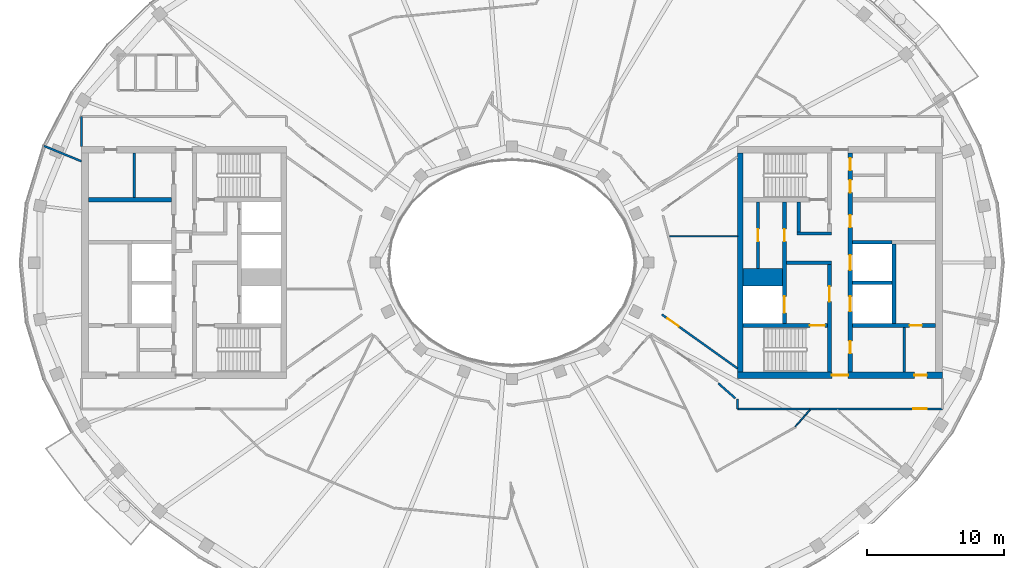
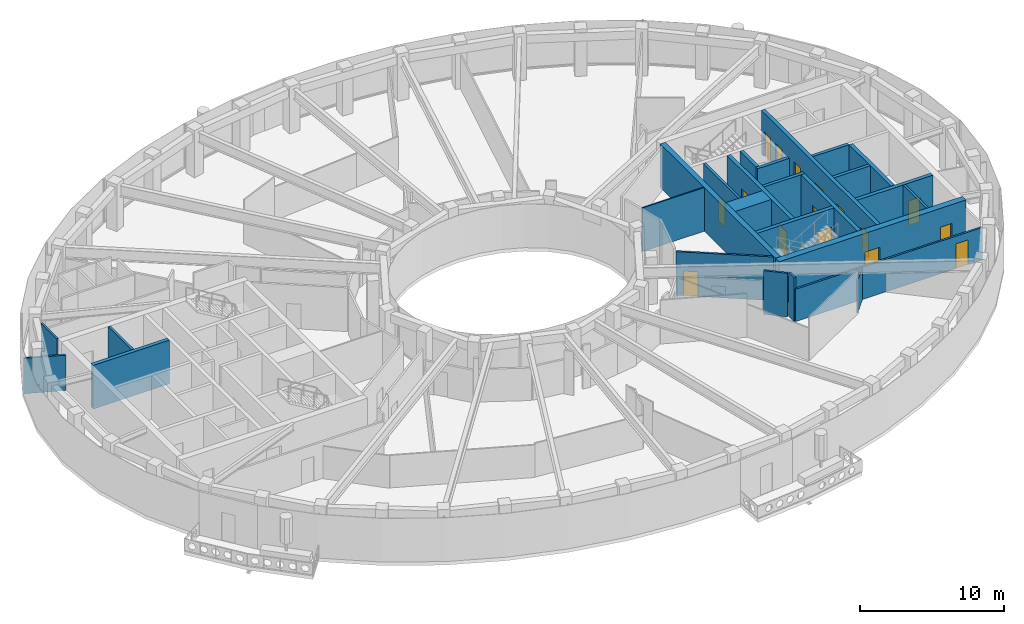
# One storey, part 8 of 20: 26 walls, 16 doors, 16 openings.
"""IFC4 building model written with IfcOpenShell, lengths in metres."""

from ifc_helpers import new_model, si_unit, direction, frame, frame_2d, origin, place, context, subcontext, project, spatial, rectangle, extrude, material, layer, layer_set, type_object, element, fill, save


model = new_model("IFC4")

# Units and contexts
model_context = context("Model", 3, precision=1e-05, world=origin(), true_north=direction((0.0, 1.0)))
body_context = subcontext(model_context, "Body", "Model", "MODEL_VIEW")
ifc_project = project(units=[si_unit("LENGTHUNIT", "METRE"), si_unit("AREAUNIT", "SQUARE_METRE"), si_unit("VOLUMEUNIT", "CUBIC_METRE"), si_unit("PLANEANGLEUNIT", "RADIAN"), si_unit("MASSUNIT", "GRAM", prefix="KILO")], contexts=[model_context])

# Site, building, storey
site_placement = place(None, origin())
site = spatial("IfcSite", under=ifc_project, at=site_placement, CompositionType="ELEMENT")
building_placement = place(site_placement, origin())
building = spatial("IfcBuilding", under=site, at=building_placement, Name="Noorbagh Ring Tower", CompositionType="ELEMENT")
storey_placement = place(building_placement, frame((0.0, 0.0, 323.0)))
storey = spatial("IfcBuildingStorey", under=building, at=storey_placement, Name="L70", CompositionType="ELEMENT", Elevation=323.0)

# Wall
ifc_material_1 = material(Name="Gypsum board on steel studs", Category="steel")
ifc_layer_1 = layer(ifc_material_1, 0.199951171875)
ifc_layer_set_1 = layer_set([ifc_layer_1], Name="Gypsum board on steel studs")
wall_type_1 = type_object("IfcWallType", Name="CORE-PARTITION-200", PredefinedType="PARTITIONING", material=ifc_layer_set_1)
wall_1_placement = place(storey_placement, frame((-27.64990234375, 4.75, 0.0), z_axis=(0.0, 0.0, 1.0), x_axis=(0.0, 1.0, 0.0)))
element("IfcWall", 1, at=wall_1_placement, inside=storey, type_object=wall_type_1, Name="Core partition W", PredefinedType="PARTITIONING", context=body_context, shape_type="SweptSolid", body=[
    extrude(rectangle(XDim=3.25, YDim=0.199951171875, at=frame_2d((1.625, 0.0))), origin(), (0.0, 0.0, 1.0), 3.699951171875),
])

# Wall, opening, door
wall_2_placement = place(storey_placement, frame((18.0, -0.449951171875, 0.0), z_axis=(0.0, 0.0, 1.0), x_axis=(0.0, 1.0, 0.0)))
wall_2 = element("IfcWall", 2, at=wall_2_placement, inside=storey, type_object=wall_type_1, Name="Core partition E", PredefinedType="PARTITIONING", context=body_context, shape_type="SweptSolid", body=[
    extrude(rectangle(XDim=4.89990234375, YDim=0.199951171875, at=frame_2d((2.449951171875, 0.0))), origin(), (0.0, 0.0, 1.0), 3.699951171875),
])
opening_1_placement = place(wall_2_placement, frame((2.0, 0.0, 0.0)))
opening_1 = element("IfcOpeningElement", 3, at=opening_1_placement, cuts=wall_2, Name="Opening L70-CE11", PredefinedType="OPENING", context=body_context, shape_type="SweptSolid", body=[
    extrude(rectangle(XDim=0.89990234375, YDim=2.10009765625, at=frame_2d((0.449951171875, 1.050048828125))), frame((0.0, 0.10986328125, 0.0), z_axis=(0.0, -1.0, 0.0), x_axis=(1.0, 0.0, 0.0)), (0.0, 0.0, 1.0), 0.219970703125),
])
ifc_material_2 = material(Name="Steel door leaf", Category="steel")
door_type_1 = type_object("IfcDoorType", Name="CORE-DOOR-DROOM", OperationType="SINGLE_SWING_LEFT", PredefinedType="DOOR", material=ifc_material_2)
door_1_placement = place(opening_1_placement, origin())
door_1 = element("IfcDoor", 4, at=door_1_placement, inside=storey, type_object=door_type_1, Name="Core room door L70-CE11", OperationType="SINGLE_SWING_RIGHT", OverallHeight=2.10009765625, OverallWidth=0.89990234375, PredefinedType="DOOR", context=body_context, shape_type="SweptSolid", body=[
    extrude(rectangle(XDim=0.89990234375, YDim=2.10009765625, at=frame_2d((0.449951171875, 1.050048828125))), frame((0.0, 0.02490234375, 0.0), z_axis=(0.0, -1.0, 0.0), x_axis=(1.0, 0.0, 0.0)), (0.0, 0.0, 1.0), 0.050048828125),
])
fill(opening_1, door_1)

# Walls
wall_3_placement = place(storey_placement, frame((28.699951171875, -8.0, 0.0), z_axis=(0.0, 0.0, 1.0), x_axis=(0.0, 1.0, 0.0)))
element("IfcWall", 5, at=wall_3_placement, inside=storey, type_object=wall_type_1, Name="Core partition E", PredefinedType="PARTITIONING", context=body_context, shape_type="SweptSolid", body=[
    extrude(rectangle(XDim=3.25, YDim=0.199951171875, at=frame_2d((1.625, 0.0))), origin(), (0.0, 0.0, 1.0), 3.699951171875),
])
ifc_material_3 = material(Name="Concrete C50/60", Category="concrete")
ifc_layer_2 = layer(ifc_material_3, 1.25)
ifc_layer_set_2 = layer_set([ifc_layer_2], Name="Concrete C50/60")
wall_type_2 = type_object("IfcWallType", Name="CORE-WALL-1250-C50-60-EI120", PredefinedType="SHEAR", material=ifc_layer_set_2)
wall_4_placement = place(storey_placement, frame((16.89990234375, -1.074951171875, 0.0), z_axis=(0.0, 0.0, 1.0), x_axis=(1.0, 0.0, 0.0)))
element("IfcWall", 6, at=wall_4_placement, inside=storey, type_object=wall_type_2, Name="Core wall E", PredefinedType="SHEAR", context=body_context, shape_type="SweptSolid", body=[
    extrude(rectangle(XDim=2.900146484375, YDim=1.25, at=frame_2d((1.4501953125, 0.0))), origin(), (0.0, 0.0, 1.0), 3.699951171875),
])
ifc_material_4 = material(Name="Concrete C50/60", Category="concrete")
ifc_layer_3 = layer(ifc_material_4, 0.25)
ifc_layer_set_3 = layer_set([ifc_layer_3], Name="Concrete C50/60")
wall_type_3 = type_object("IfcWallType", Name="CORE-WALL-250-C50-60-EI120", PredefinedType="SHEAR", material=ifc_layer_set_3)
for number, where, z_axis, x_axis, name in (
    (7, (24.89990234375, -1.47509765625, 0.0), (0.0, 0.0, 1.0), (1.0, 0.0, 0.0), "Core wall E"),
    (8, (24.89990234375, 1.47509765625, 0.0), (0.0, 0.0, 1.0), (1.0, 0.0, 0.0), "Core wall E"),
):
    element("IfcWall", number, at=place(storey_placement, frame(where, z_axis=z_axis, x_axis=x_axis)), inside=storey, type_object=wall_type_3, Name=name, PredefinedType="SHEAR", context=body_context, shape_type="SweptSolid", body=[
        extrude(rectangle(XDim=2.900146484375, YDim=0.25, at=frame_2d((1.4501953125, 0.0))), origin(), (0.0, 0.0, 1.0), 3.699951171875),
    ])
ifc_material_5 = material(Name="Concrete C50/60", Category="concrete")
ifc_layer_4 = layer(ifc_material_5, 0.25)
ifc_layer_set_4 = layer_set([ifc_layer_4], Name="Concrete C50/60")
wall_type_4 = type_object("IfcWallType", Name="CORE-WALL-250-C50-60-EI240", PredefinedType="SHEAR", material=ifc_layer_set_4)
wall_5_placement = place(storey_placement, frame((20.10009765625, 0.0, 0.0), z_axis=(0.0, 0.0, 1.0), x_axis=(1.0, 0.0, 0.0)))
element("IfcWall", 9, at=wall_5_placement, inside=storey, type_object=wall_type_4, Name="Core wall E", PredefinedType="SHEAR", context=body_context, shape_type="SweptSolid", body=[
    extrude(rectangle(XDim=3.27978515625, YDim=0.25, at=frame_2d((1.639892578125, 0.0))), origin(), (0.0, 0.0, 1.0), 3.699951171875),
])
wall_6_placement = place(storey_placement, frame((20.85009765625, 2.125, 0.0), z_axis=(0.0, 0.0, 1.0), x_axis=(1.0, 0.0, 0.0)))
element("IfcWall", 10, at=wall_6_placement, inside=storey, type_object=wall_type_4, Name="Core wall E", PredefinedType="SHEAR", context=body_context, shape_type="SweptSolid", body=[
    extrude(rectangle(XDim=2.52978515625, YDim=0.25, at=frame_2d((1.264892578125, 0.0))), origin(), (0.0, 0.0, 1.0), 3.699951171875),
])
wall_7_placement = place(storey_placement, frame((20.97509765625, 2.25, 0.0), z_axis=(0.0, 0.0, 1.0), x_axis=(0.0, 1.0, 0.0)))
element("IfcWall", 11, at=wall_7_placement, inside=storey, type_object=wall_type_4, Name="Core wall E", PredefinedType="SHEAR", context=body_context, shape_type="SweptSolid", body=[
    extrude(rectangle(XDim=2.199951171875, YDim=0.25, at=frame_2d((1.10009765625, 0.0))), origin(), (0.0, 0.0, 1.0), 3.699951171875),
])
ifc_material_6 = material(Name="Concrete C50/60", Category="concrete")
ifc_layer_5 = layer(ifc_material_6, 0.300048828125)
ifc_layer_set_5 = layer_set([ifc_layer_5], Name="Concrete C50/60")
wall_type_5 = type_object("IfcWallType", Name="CORE-WALL-300-C50-60-EI120", PredefinedType="SHEAR", material=ifc_layer_set_5)
wall_8_placement = place(storey_placement, frame((27.949951171875, -4.449951171875, 0.0), z_axis=(0.0, 0.0, 1.0), x_axis=(0.0, 1.0, 0.0)))
element("IfcWall", 12, at=wall_8_placement, inside=storey, type_object=wall_type_5, Name="Core wall E", PredefinedType="SHEAR", context=body_context, shape_type="SweptSolid", body=[
    extrude(rectangle(XDim=5.800048828125, YDim=0.300048828125, at=frame_2d((2.89990234375, 0.0))), origin(), (0.0, 0.0, 1.0), 3.699951171875),
])

# Wall, openings, doors
wall_9_placement = place(storey_placement, frame((19.949951171875, -4.449951171875, 0.0), z_axis=(0.0, 0.0, 1.0), x_axis=(0.0, 1.0, 0.0)))
wall_9 = element("IfcWall", 13, at=wall_9_placement, inside=storey, type_object=wall_type_5, Name="Core wall E", PredefinedType="SHEAR", context=body_context, shape_type="SweptSolid", body=[
    extrude(rectangle(XDim=8.89990234375, YDim=0.300048828125, at=frame_2d((4.449951171875, 0.0))), origin(), (0.0, 0.0, 1.0), 3.699951171875),
])
opening_2_placement = place(wall_9_placement, frame((0.77490234375, 0.0, 0.0)))
opening_2 = element("IfcOpeningElement", 14, at=opening_2_placement, cuts=wall_9, Name="Opening L70-CE01", PredefinedType="OPENING", context=body_context, shape_type="SweptSolid", body=[
    extrude(rectangle(XDim=1.199951171875, YDim=2.10009765625, at=frame_2d((0.60009765625, 1.050048828125))), frame((0.0, 0.16015625, 0.0), z_axis=(0.0, -1.0, 0.0), x_axis=(1.0, 0.0, 0.0)), (0.0, 0.0, 1.0), 0.320068359375),
])
opening_3_placement = place(wall_9_placement, frame((6.0, 0.0, 0.0)))
opening_3 = element("IfcOpeningElement", 15, at=opening_3_placement, cuts=wall_9, Name="Opening L70-CE10", PredefinedType="OPENING", context=body_context, shape_type="SweptSolid", body=[
    extrude(rectangle(XDim=0.89990234375, YDim=2.10009765625, at=frame_2d((0.449951171875, 1.050048828125))), frame((0.0, 0.16015625, 0.0), z_axis=(0.0, -1.0, 0.0), x_axis=(1.0, 0.0, 0.0)), (0.0, 0.0, 1.0), 0.320068359375),
])
door_2_placement = place(opening_3_placement, origin())
door_2 = element("IfcDoor", 16, at=door_2_placement, inside=storey, type_object=door_type_1, Name="Core room door L70-CE10", OperationType="SINGLE_SWING_RIGHT", OverallHeight=2.10009765625, OverallWidth=0.89990234375, PredefinedType="DOOR", context=body_context, shape_type="SweptSolid", body=[
    extrude(rectangle(XDim=0.89990234375, YDim=2.10009765625, at=frame_2d((0.449951171875, 1.050048828125))), frame((0.0, 0.02490234375, 0.0), z_axis=(0.0, -1.0, 0.0), x_axis=(1.0, 0.0, 0.0)), (0.0, 0.0, 1.0), 0.050048828125),
])
fill(opening_3, door_2)
ifc_material_7 = material(Name="Steel door leaf", Category="steel")
door_type_2 = type_object("IfcDoorType", Name="CORE-DOOR-LDW", OperationType="DOUBLE_DOOR_SLIDING", PredefinedType="DOOR", material=ifc_material_7)
door_3_placement = place(opening_2_placement, origin())
door_3 = element("IfcDoor", 17, at=door_3_placement, inside=storey, type_object=door_type_2, Name="Landing door FF2 L70-CE01", OperationType="DOUBLE_DOOR_SLIDING", OverallHeight=2.10009765625, OverallWidth=1.199951171875, PredefinedType="DOOR", context=body_context, shape_type="SweptSolid", body=[
    extrude(rectangle(XDim=1.199951171875, YDim=2.10009765625, at=frame_2d((0.60009765625, 1.050048828125))), frame((0.0, 0.02490234375, 0.0), z_axis=(0.0, -1.0, 0.0), x_axis=(1.0, 0.0, 0.0)), (0.0, 0.0, 1.0), 0.050048828125),
])
fill(opening_2, door_3)

wall_10_placement = place(storey_placement, frame((24.75, -8.0, 0.0), z_axis=(0.0, 0.0, 1.0), x_axis=(0.0, 1.0, 0.0)))
wall_10 = element("IfcWall", 18, at=wall_10_placement, inside=storey, type_object=wall_type_5, Name="Core wall E", PredefinedType="SHEAR", context=body_context, shape_type="SweptSolid", body=[
    extrude(rectangle(XDim=16.0, YDim=0.300048828125, at=frame_2d((8.0, 0.0))), origin(), (0.0, 0.0, 1.0), 3.699951171875),
])
opening_4_placement = place(wall_10_placement, frame((4.425048828125, 0.0, 0.0)))
opening_4 = element("IfcOpeningElement", 19, at=opening_4_placement, cuts=wall_10, Name="Opening L70-CE02", PredefinedType="OPENING", context=body_context, shape_type="SweptSolid", body=[
    extrude(rectangle(XDim=1.10009765625, YDim=2.10009765625, at=frame_2d((0.550048828125, 1.050048828125))), frame((0.0, 0.16015625, 0.0), z_axis=(0.0, -1.0, 0.0), x_axis=(1.0, 0.0, 0.0)), (0.0, 0.0, 1.0), 0.320068359375),
])
opening_5_placement = place(wall_10_placement, frame((7.449951171875, 0.0, 0.0)))
opening_5 = element("IfcOpeningElement", 20, at=opening_5_placement, cuts=wall_10, Name="Opening L70-CE03", PredefinedType="OPENING", context=body_context, shape_type="SweptSolid", body=[
    extrude(rectangle(XDim=1.10009765625, YDim=2.10009765625, at=frame_2d((0.550048828125, 1.050048828125))), frame((0.0, 0.16015625, 0.0), z_axis=(0.0, -1.0, 0.0), x_axis=(1.0, 0.0, 0.0)), (0.0, 0.0, 1.0), 0.320068359375),
])
opening_6_placement = place(wall_10_placement, frame((10.574951171875, 0.0, 0.0)))
opening_6 = element("IfcOpeningElement", 21, at=opening_6_placement, cuts=wall_10, Name="Opening L70-CE12", PredefinedType="OPENING", context=body_context, shape_type="SweptSolid", body=[
    extrude(rectangle(XDim=0.89990234375, YDim=2.10009765625, at=frame_2d((0.449951171875, 1.050048828125))), frame((0.0, 0.16015625, 0.0), z_axis=(0.0, -1.0, 0.0), x_axis=(1.0, 0.0, 0.0)), (0.0, 0.0, 1.0), 0.320068359375),
])
opening_7_placement = place(wall_10_placement, frame((13.125, 0.0, 0.0)))
opening_7 = element("IfcOpeningElement", 22, at=opening_7_placement, cuts=wall_10, Name="Opening L70-CE13", PredefinedType="OPENING", context=body_context, shape_type="SweptSolid", body=[
    extrude(rectangle(XDim=0.89990234375, YDim=2.10009765625, at=frame_2d((0.449951171875, 1.050048828125))), frame((0.0, 0.16015625, 0.0), z_axis=(0.0, -1.0, 0.0), x_axis=(1.0, 0.0, 0.0)), (0.0, 0.0, 1.0), 0.320068359375),
])
opening_8_placement = place(wall_10_placement, frame((14.75, 0.0, 0.0)))
opening_8 = element("IfcOpeningElement", 23, at=opening_8_placement, cuts=wall_10, Name="Opening L70-CE14", PredefinedType="OPENING", context=body_context, shape_type="SweptSolid", body=[
    extrude(rectangle(XDim=0.89990234375, YDim=2.10009765625, at=frame_2d((0.449951171875, 1.050048828125))), frame((0.0, 0.16015625, 0.0), z_axis=(0.0, -1.0, 0.0), x_axis=(1.0, 0.0, 0.0)), (0.0, 0.0, 1.0), 0.320068359375),
])
opening_9_placement = place(wall_10_placement, frame((1.35009765625, 0.0, 0.0)))
opening_9 = element("IfcOpeningElement", 24, at=opening_9_placement, cuts=wall_10, Name="Opening L70-CE16", PredefinedType="OPENING", context=body_context, shape_type="SweptSolid", body=[
    extrude(rectangle(XDim=0.89990234375, YDim=2.10009765625, at=frame_2d((0.449951171875, 1.050048828125))), frame((0.0, 0.16015625, 0.0), z_axis=(0.0, -1.0, 0.0), x_axis=(1.0, 0.0, 0.0)), (0.0, 0.0, 1.0), 0.320068359375),
])
door_4_placement = place(opening_6_placement, origin())
door_4 = element("IfcDoor", 25, at=door_4_placement, inside=storey, type_object=door_type_1, Name="Core room door L70-CE12", OperationType="SINGLE_SWING_LEFT", OverallHeight=2.10009765625, OverallWidth=0.89990234375, PredefinedType="DOOR", context=body_context, shape_type="SweptSolid", body=[
    extrude(rectangle(XDim=0.89990234375, YDim=2.10009765625, at=frame_2d((0.449951171875, 1.050048828125))), frame((0.0, 0.02490234375, 0.0), z_axis=(0.0, -1.0, 0.0), x_axis=(1.0, 0.0, 0.0)), (0.0, 0.0, 1.0), 0.050048828125),
])
fill(opening_6, door_4)
door_5_placement = place(opening_7_placement, origin())
door_5 = element("IfcDoor", 26, at=door_5_placement, inside=storey, type_object=door_type_1, Name="Core room door L70-CE13", OperationType="SINGLE_SWING_RIGHT", OverallHeight=2.10009765625, OverallWidth=0.89990234375, PredefinedType="DOOR", context=body_context, shape_type="SweptSolid", body=[
    extrude(rectangle(XDim=0.89990234375, YDim=2.10009765625, at=frame_2d((0.449951171875, 1.050048828125))), frame((0.0, 0.02490234375, 0.0), z_axis=(0.0, -1.0, 0.0), x_axis=(1.0, 0.0, 0.0)), (0.0, 0.0, 1.0), 0.050048828125),
])
fill(opening_7, door_5)
door_6_placement = place(opening_8_placement, origin())
door_6 = element("IfcDoor", 27, at=door_6_placement, inside=storey, type_object=door_type_1, Name="Core room door L70-CE14", OperationType="SINGLE_SWING_LEFT", OverallHeight=2.10009765625, OverallWidth=0.89990234375, PredefinedType="DOOR", context=body_context, shape_type="SweptSolid", body=[
    extrude(rectangle(XDim=0.89990234375, YDim=2.10009765625, at=frame_2d((0.449951171875, 1.050048828125))), frame((0.0, 0.02490234375, 0.0), z_axis=(0.0, -1.0, 0.0), x_axis=(1.0, 0.0, 0.0)), (0.0, 0.0, 1.0), 0.050048828125),
])
fill(opening_8, door_6)
door_7_placement = place(opening_9_placement, origin())
door_7 = element("IfcDoor", 28, at=door_7_placement, inside=storey, type_object=door_type_1, Name="Core room door L70-CE16", OperationType="SINGLE_SWING_RIGHT", OverallHeight=2.10009765625, OverallWidth=0.89990234375, PredefinedType="DOOR", context=body_context, shape_type="SweptSolid", body=[
    extrude(rectangle(XDim=0.89990234375, YDim=2.10009765625, at=frame_2d((0.449951171875, 1.050048828125))), frame((0.0, 0.02490234375, 0.0), z_axis=(0.0, -1.0, 0.0), x_axis=(1.0, 0.0, 0.0)), (0.0, 0.0, 1.0), 0.050048828125),
])
fill(opening_9, door_7)
ifc_material_8 = material(Name="Steel door leaf", Category="steel")
door_type_3 = type_object("IfcDoorType", Name="CORE-DOOR-LD", OperationType="DOUBLE_DOOR_SLIDING", PredefinedType="DOOR", material=ifc_material_8)
door_8_placement = place(opening_4_placement, origin())
door_8 = element("IfcDoor", 29, at=door_8_placement, inside=storey, type_object=door_type_3, Name="Landing door HR12 L70-CE02", OperationType="DOUBLE_DOOR_SLIDING", OverallHeight=2.10009765625, OverallWidth=1.10009765625, PredefinedType="DOOR", context=body_context, shape_type="SweptSolid", body=[
    extrude(rectangle(XDim=1.10009765625, YDim=2.10009765625, at=frame_2d((0.550048828125, 1.050048828125))), frame((0.0, 0.02490234375, 0.0), z_axis=(0.0, -1.0, 0.0), x_axis=(1.0, 0.0, 0.0)), (0.0, 0.0, 1.0), 0.050048828125),
])
fill(opening_4, door_8)
door_9_placement = place(opening_5_placement, origin())
door_9 = element("IfcDoor", 30, at=door_9_placement, inside=storey, type_object=door_type_3, Name="Landing door HR13 L70-CE03", OperationType="DOUBLE_DOOR_SLIDING", OverallHeight=2.10009765625, OverallWidth=1.10009765625, PredefinedType="DOOR", context=body_context, shape_type="SweptSolid", body=[
    extrude(rectangle(XDim=1.10009765625, YDim=2.10009765625, at=frame_2d((0.550048828125, 1.050048828125))), frame((0.0, 0.02490234375, 0.0), z_axis=(0.0, -1.0, 0.0), x_axis=(1.0, 0.0, 0.0)), (0.0, 0.0, 1.0), 0.050048828125),
])
fill(opening_5, door_9)

# Wall
ifc_material_9 = material(Name="Concrete C50/60", Category="concrete")
ifc_layer_6 = layer(ifc_material_9, 0.300048828125)
ifc_layer_set_6 = layer_set([ifc_layer_6], Name="Concrete C50/60")
wall_type_6 = type_object("IfcWallType", Name="CORE-WALL-300-C50-60-EI240", PredefinedType="SHEAR", material=ifc_layer_set_6)
wall_11_placement = place(storey_placement, frame((-24.89990234375, 4.60009765625, 0.0), z_axis=(0.0, 0.0, 1.0), x_axis=(-1.0, 0.0, 0.0)))
element("IfcWall", 31, at=wall_11_placement, inside=storey, type_object=wall_type_6, Name="Core wall W", PredefinedType="SHEAR", context=body_context, shape_type="SweptSolid", body=[
    extrude(rectangle(XDim=6.10009765625, YDim=0.300048828125, at=frame_2d((3.050048828125, 0.0))), origin(), (0.0, 0.0, 1.0), 3.699951171875),
])

# Wall, opening, door
wall_12_placement = place(storey_placement, frame((24.89990234375, -4.60009765625, 0.0), z_axis=(0.0, 0.0, 1.0), x_axis=(1.0, 0.0, 0.0)))
wall_12 = element("IfcWall", 32, at=wall_12_placement, inside=storey, type_object=wall_type_6, Name="Core wall E", PredefinedType="SHEAR", context=body_context, shape_type="SweptSolid", body=[
    extrude(rectangle(XDim=6.10009765625, YDim=0.300048828125, at=frame_2d((3.050048828125, 0.0))), origin(), (0.0, 0.0, 1.0), 3.699951171875),
])
opening_10_placement = place(wall_12_placement, frame((4.199951171875, 0.0, 0.0)))
opening_10 = element("IfcOpeningElement", 33, at=opening_10_placement, cuts=wall_12, Name="Opening L70-CE18", PredefinedType="OPENING", context=body_context, shape_type="SweptSolid", body=[
    extrude(rectangle(XDim=0.89990234375, YDim=2.10009765625, at=frame_2d((0.449951171875, 1.050048828125))), frame((0.0, 0.16015625, 0.0), z_axis=(0.0, -1.0, 0.0), x_axis=(1.0, 0.0, 0.0)), (0.0, 0.0, 1.0), 0.320068359375),
])
door_10_placement = place(opening_10_placement, origin())
door_10 = element("IfcDoor", 34, at=door_10_placement, inside=storey, type_object=door_type_1, Name="Core room door L70-CE18", OperationType="SINGLE_SWING_LEFT", OverallHeight=2.10009765625, OverallWidth=0.89990234375, PredefinedType="DOOR", context=body_context, shape_type="SweptSolid", body=[
    extrude(rectangle(XDim=0.89990234375, YDim=2.10009765625, at=frame_2d((0.449951171875, 1.050048828125))), frame((0.0, 0.02490234375, 0.0), z_axis=(0.0, -1.0, 0.0), x_axis=(1.0, 0.0, 0.0)), (0.0, 0.0, 1.0), 0.050048828125),
])
fill(opening_10, door_10)

wall_13_placement = place(storey_placement, frame((23.22998046875, -8.0, 0.0), z_axis=(0.0, 0.0, 1.0), x_axis=(0.0, 1.0, 0.0)))
wall_13 = element("IfcWall", 35, at=wall_13_placement, inside=storey, type_object=wall_type_6, Name="Core wall E", PredefinedType="SHEAR", context=body_context, shape_type="SweptSolid", body=[
    extrude(rectangle(XDim=7.875, YDim=0.300048828125, at=frame_2d((3.9375, 0.0))), origin(), (0.0, 0.0, 1.0), 3.699951171875),
])
opening_11_placement = place(wall_13_placement, frame((5.14990234375, 0.0, 0.0)))
opening_11 = element("IfcOpeningElement", 36, at=opening_11_placement, cuts=wall_13, Name="Opening L70-CE06", PredefinedType="OPENING", context=body_context, shape_type="SweptSolid", body=[
    extrude(rectangle(XDim=1.10009765625, YDim=2.10009765625, at=frame_2d((0.550048828125, 1.050048828125))), frame((0.0, 0.16015625, 0.0), z_axis=(0.0, -1.0, 0.0), x_axis=(1.0, 0.0, 0.0)), (0.0, 0.0, 1.0), 0.320068359375),
])
ifc_material_10 = material(Name="Steel door leaf", Category="steel")
door_type_4 = type_object("IfcDoorType", Name="CORE-DOOR-DFF", OperationType="SINGLE_SWING_LEFT", PredefinedType="DOOR", material=ifc_material_10)
door_11_placement = place(opening_11_placement, origin())
door_11 = element("IfcDoor", 37, at=door_11_placement, inside=storey, type_object=door_type_4, Name="Firefighting lobby door L70-CE06", OperationType="SINGLE_SWING_RIGHT", OverallHeight=2.10009765625, OverallWidth=1.10009765625, PredefinedType="DOOR", context=body_context, shape_type="SweptSolid", body=[
    extrude(rectangle(XDim=1.10009765625, YDim=2.10009765625, at=frame_2d((0.550048828125, 1.050048828125))), frame((0.0, 0.02490234375, 0.0), z_axis=(0.0, -1.0, 0.0), x_axis=(1.0, 0.0, 0.0)), (0.0, 0.0, 1.0), 0.050048828125),
])
fill(opening_11, door_11)

wall_14_placement = place(storey_placement, frame((16.89990234375, -4.60009765625, 0.0), z_axis=(0.0, 0.0, 1.0), x_axis=(1.0, 0.0, 0.0)))
wall_14 = element("IfcWall", 38, at=wall_14_placement, inside=storey, type_object=wall_type_6, Name="Core wall E", PredefinedType="SHEAR", context=body_context, shape_type="SweptSolid", body=[
    extrude(rectangle(XDim=6.18017578125, YDim=0.300048828125, at=frame_2d((3.090087890625, 0.0))), origin(), (0.0, 0.0, 1.0), 3.699951171875),
])
opening_12_placement = place(wall_14_placement, frame((4.89990234375, 0.0, 0.0)))
opening_12 = element("IfcOpeningElement", 39, at=opening_12_placement, cuts=wall_14, Name="Opening L70-CE05", PredefinedType="OPENING", context=body_context, shape_type="SweptSolid", body=[
    extrude(rectangle(XDim=1.10009765625, YDim=2.10009765625, at=frame_2d((0.550048828125, 1.050048828125))), frame((0.0, 0.16015625, 0.0), z_axis=(0.0, -1.0, 0.0), x_axis=(1.0, 0.0, 0.0)), (0.0, 0.0, 1.0), 0.320068359375),
])
ifc_material_11 = material(Name="Steel door leaf", Category="steel")
door_type_5 = type_object("IfcDoorType", Name="CORE-DOOR-DSTAIR", OperationType="SINGLE_SWING_LEFT", PredefinedType="DOOR", material=ifc_material_11)
door_12_placement = place(opening_12_placement, origin())
door_12 = element("IfcDoor", 40, at=door_12_placement, inside=storey, type_object=door_type_5, Name="Stair door ST4 L70-CE05", OperationType="SINGLE_SWING_RIGHT", OverallHeight=2.10009765625, OverallWidth=1.10009765625, PredefinedType="DOOR", context=body_context, shape_type="SweptSolid", body=[
    extrude(rectangle(XDim=1.10009765625, YDim=2.10009765625, at=frame_2d((0.550048828125, 1.050048828125))), frame((0.0, 0.02490234375, 0.0), z_axis=(0.0, -1.0, 0.0), x_axis=(1.0, 0.0, 0.0)), (0.0, 0.0, 1.0), 0.050048828125),
])
fill(opening_12, door_12)

# Wall
ifc_material_12 = material(Name="Concrete C50/60", Category="concrete")
ifc_layer_7 = layer(ifc_material_12, 0.39990234375)
ifc_layer_set_7 = layer_set([ifc_layer_7], Name="Concrete C50/60")
wall_type_7 = type_object("IfcWallType", Name="CORE-WALL-400-C50-60-EI240", PredefinedType="SHEAR", material=ifc_layer_set_7)
wall_15_placement = place(storey_placement, frame((16.699951171875, -8.0, 0.0), z_axis=(0.0, 0.0, 1.0), x_axis=(0.0, 1.0, 0.0)))
element("IfcWall", 41, at=wall_15_placement, inside=storey, type_object=wall_type_7, Name="Core wall E", PredefinedType="SHEAR", context=body_context, shape_type="SweptSolid", body=[
    extrude(rectangle(XDim=16.0, YDim=0.39990234375, at=frame_2d((8.0, 0.0))), origin(), (0.0, 0.0, 1.0), 3.699951171875),
])

# Wall, openings, doors
ifc_material_13 = material(Name="Concrete C50/60", Category="concrete")
ifc_layer_8 = layer(ifc_material_13, 0.5)
ifc_layer_set_8 = layer_set([ifc_layer_8], Name="Concrete C50/60")
wall_type_8 = type_object("IfcWallType", Name="CORE-WALL-500-C50-60-EI240", PredefinedType="SHEAR", material=ifc_layer_set_8)
wall_16_placement = place(storey_placement, frame((16.5, -8.25, 0.0), z_axis=(0.0, 0.0, 1.0), x_axis=(1.0, 0.0, 0.0)))
wall_16 = element("IfcWall", 42, at=wall_16_placement, inside=storey, type_object=wall_type_8, Name="Core wall E", PredefinedType="SHEAR", context=body_context, shape_type="SweptSolid", body=[
    extrude(rectangle(XDim=15.0, YDim=0.5, at=frame_2d((7.5, 0.0))), origin(), (0.0, 0.0, 1.0), 3.699951171875),
])
opening_13_placement = place(wall_16_placement, frame((6.89990234375, 0.0, 0.0)))
opening_13 = element("IfcOpeningElement", 43, at=opening_13_placement, cuts=wall_16, Name="Opening L70-CE09", PredefinedType="OPENING", context=body_context, shape_type="SweptSolid", body=[
    extrude(rectangle(XDim=1.199951171875, YDim=2.10009765625, at=frame_2d((0.60009765625, 1.050048828125))), frame((0.0, 0.260009765625, 0.0), z_axis=(0.0, -1.0, 0.0), x_axis=(1.0, 0.0, 0.0)), (0.0, 0.0, 1.0), 0.52001953125),
])
opening_14_placement = place(wall_16_placement, frame((12.949951171875, 0.0, 0.0)))
opening_14 = element("IfcOpeningElement", 44, at=opening_14_placement, cuts=wall_16, Name="Opening L70-CE17", PredefinedType="OPENING", context=body_context, shape_type="SweptSolid", body=[
    extrude(rectangle(XDim=0.89990234375, YDim=2.10009765625, at=frame_2d((0.449951171875, 1.050048828125))), frame((0.0, 0.260009765625, 0.0), z_axis=(0.0, -1.0, 0.0), x_axis=(1.0, 0.0, 0.0)), (0.0, 0.0, 1.0), 0.52001953125),
])
door_13_placement = place(opening_14_placement, origin())
door_13 = element("IfcDoor", 45, at=door_13_placement, inside=storey, type_object=door_type_1, Name="Core room door L70-CE17", OperationType="SINGLE_SWING_RIGHT", OverallHeight=2.10009765625, OverallWidth=0.89990234375, PredefinedType="DOOR", context=body_context, shape_type="SweptSolid", body=[
    extrude(rectangle(XDim=0.89990234375, YDim=2.10009765625, at=frame_2d((0.449951171875, 1.050048828125))), frame((0.0, 0.02490234375, 0.0), z_axis=(0.0, -1.0, 0.0), x_axis=(1.0, 0.0, 0.0)), (0.0, 0.0, 1.0), 0.050048828125),
])
fill(opening_14, door_13)
ifc_material_14 = material(Name="Steel door leaf", Category="steel")
door_type_6 = type_object("IfcDoorType", Name="CORE-DOOR-PORT", OperationType="DOUBLE_DOOR_DOUBLE_SWING", PredefinedType="DOOR", material=ifc_material_14)
door_14_placement = place(opening_13_placement, origin())
door_14 = element("IfcDoor", 46, at=door_14_placement, inside=storey, type_object=door_type_6, Name="Core entrance door L70-CE09", OperationType="DOUBLE_DOOR_DOUBLE_SWING", OverallHeight=2.10009765625, OverallWidth=1.199951171875, PredefinedType="DOOR", context=body_context, shape_type="SweptSolid", body=[
    extrude(rectangle(XDim=1.199951171875, YDim=2.10009765625, at=frame_2d((0.60009765625, 1.050048828125))), frame((0.0, 0.02490234375, 0.0), z_axis=(0.0, -1.0, 0.0), x_axis=(1.0, 0.0, 0.0)), (0.0, 0.0, 1.0), 0.050048828125),
])
fill(opening_13, door_14)

# Walls
ifc_material_15 = material(Name="Gypsum board on steel studs", Category="steel")
ifc_layer_9 = layer(ifc_material_15, 0.14990234375)
ifc_layer_set_9 = layer_set([ifc_layer_9], Name="Gypsum board on steel studs")
wall_type_9 = type_object("IfcWallType", Name="CORRIDOR PARTITION 150 EI 30", PredefinedType="PARTITIONING", material=ifc_layer_set_9)
wall_17_placement = place(storey_placement, frame((-34.23388671875, 8.530029296875, 0.0), z_axis=(0.0, 0.0, 1.0), x_axis=(0.925344112436, -0.379128307542, 0.0)))
element("IfcWall", 47, at=wall_17_placement, inside=storey, type_object=wall_type_9, Name="L70/wall/P01", PredefinedType="PARTITIONING", context=body_context, shape_type="SweptSolid", body=[
    extrude(rectangle(XDim=2.954345703125, YDim=0.14990234375, at=frame_2d((1.47705078125, 0.0))), origin(), (0.0, 0.0, 1.0), 3.0),
])
wall_18_placement = place(storey_placement, frame((-31.5, 8.5, 0.0), z_axis=(0.0, 0.0, 1.0), x_axis=(0.0, 1.0, 0.0)))
element("IfcWall", 48, at=wall_18_placement, inside=storey, type_object=wall_type_9, Name="L70/wall/P04", PredefinedType="PARTITIONING", context=body_context, shape_type="SweptSolid", body=[
    extrude(rectangle(XDim=2.199951171875, YDim=0.14990234375, at=frame_2d((1.10009765625, 0.0))), origin(), (0.0, 0.0, 1.0), 3.699951171875),
])

# Wall, opening, door
wall_19_placement = place(storey_placement, frame((10.969970703125, -3.799072265625, 0.0), z_axis=(0.0, 0.0, 1.0), x_axis=(0.814095150002, -0.580731510032, 0.0)))
wall_19 = element("IfcWall", 49, at=wall_19_placement, inside=storey, type_object=wall_type_9, Name="L70/wall/P71", PredefinedType="PARTITIONING", context=body_context, shape_type="SweptSolid", body=[
    extrude(rectangle(XDim=6.79296875, YDim=0.14990234375, at=frame_2d((3.396484375, 0.0))), origin(), (0.0, 0.0, 1.0), 3.699951171875),
])
opening_15_placement = place(wall_19_placement, frame((0.516845703125, 0.0, 0.0)))
opening_15 = element("IfcOpeningElement", 50, at=opening_15_placement, cuts=wall_19, Name="Opening D1", PredefinedType="OPENING", context=body_context, shape_type="SweptSolid", body=[
    extrude(rectangle(XDim=1.0, YDim=2.10009765625, at=frame_2d((0.5, 1.050048828125))), frame((0.0, 0.0849609375, 0.0), z_axis=(0.0, -1.0, 0.0), x_axis=(1.0, 0.0, 0.0)), (0.0, 0.0, 1.0), 0.169921875),
])
ifc_material_16 = material(Name="Timber, painted", Category="wood")
door_type_7 = type_object("IfcDoorType", Name="DOOR 1000 X 2100 FD30", OperationType="SINGLE_SWING_LEFT", PredefinedType="DOOR", material=ifc_material_16)
door_15_placement = place(opening_15_placement, origin())
door_15 = element("IfcDoor", 51, at=door_15_placement, inside=storey, type_object=door_type_7, Name="L70-D20", OperationType="SINGLE_SWING_RIGHT", OverallHeight=2.10009765625, OverallWidth=1.0, PredefinedType="DOOR", context=body_context, shape_type="SweptSolid", body=[
    extrude(rectangle(XDim=1.0, YDim=2.10009765625, at=frame_2d((0.5, 1.050048828125))), frame((0.0, 0.02490234375, 0.0), z_axis=(0.0, -1.0, 0.0), x_axis=(1.0, 0.0, 0.0)), (0.0, 0.0, 1.0), 0.050048828125),
])
fill(opening_15, door_15)

# Wall
wall_20_placement = place(storey_placement, frame((16.5, -10.699951171875, 0.0), z_axis=(0.0, 0.0, 1.0), x_axis=(0.0, 1.0, 0.0)))
element("IfcWall", 52, at=wall_20_placement, inside=storey, type_object=wall_type_9, Name="L70/wall/P80", PredefinedType="PARTITIONING", context=body_context, shape_type="SweptSolid", body=[
    extrude(rectangle(XDim=0.73583984375, YDim=0.14990234375, at=frame_2d((0.367919921875, 0.0))), origin(), (0.0, 0.0, 1.0), 3.699951171875),
])

# Wall, opening, door
wall_21_placement = place(storey_placement, frame((16.5, -10.699951171875, 0.0), z_axis=(0.0, 0.0, 1.0), x_axis=(1.0, 0.0, 0.0)))
wall_21 = element("IfcWall", 53, at=wall_21_placement, inside=storey, type_object=wall_type_9, Name="L70/wall/P81", PredefinedType="PARTITIONING", context=body_context, shape_type="SweptSolid", body=[
    extrude(rectangle(XDim=15.0, YDim=0.14990234375, at=frame_2d((7.5, 0.0))), origin(), (0.0, 0.0, 1.0), 2.75),
])
opening_16_placement = place(wall_21_placement, frame((12.846923828125, 0.0, 0.0)))
opening_16 = element("IfcOpeningElement", 54, at=opening_16_placement, cuts=wall_21, Name="Opening D1", PredefinedType="OPENING", context=body_context, shape_type="SweptSolid", body=[
    extrude(rectangle(XDim=1.0, YDim=2.10009765625, at=frame_2d((0.5, 1.050048828125))), frame((0.0, 0.0849609375, 0.0), z_axis=(0.0, -1.0, 0.0), x_axis=(1.0, 0.0, 0.0)), (0.0, 0.0, 1.0), 0.169921875),
])
door_16_placement = place(opening_16_placement, origin())
door_16 = element("IfcDoor", 55, at=door_16_placement, inside=storey, type_object=door_type_7, Name="L70-D16", OperationType="SINGLE_SWING_RIGHT", OverallHeight=2.10009765625, OverallWidth=1.0, PredefinedType="DOOR", context=body_context, shape_type="SweptSolid", body=[
    extrude(rectangle(XDim=1.0, YDim=2.10009765625, at=frame_2d((0.5, 1.050048828125))), frame((0.0, 0.02490234375, 0.0), z_axis=(0.0, -1.0, 0.0), x_axis=(1.0, 0.0, 0.0)), (0.0, 0.0, 1.0), 0.050048828125),
])
fill(opening_16, door_16)

# Walls
wall_22_placement = place(storey_placement, frame((16.35205078125, -9.94189453125, 0.0), z_axis=(0.0, 0.0, 1.0), x_axis=(-0.750621325629, 0.660732642989, 0.0)))
element("IfcWall", 56, at=wall_22_placement, inside=storey, type_object=wall_type_9, Name="L70/wall/P94", PredefinedType="PARTITIONING", context=body_context, shape_type="SweptSolid", body=[
    extrude(rectangle(XDim=1.68115234375, YDim=0.14990234375, at=frame_2d((0.840576171875, 0.0))), origin(), (0.0, 0.0, 1.0), 3.699951171875),
])
ifc_material_17 = material(Name="Gypsum board on steel studs", Category="steel")
ifc_layer_10 = layer(ifc_material_17, 0.10009765625)
ifc_layer_set_10 = layer_set([ifc_layer_10], Name="Gypsum board on steel studs")
wall_type_10 = type_object("IfcWallType", Name="PARTITION 100 GYPSUM", PredefinedType="PARTITIONING", material=ifc_layer_set_10)
wall_23_placement = place(storey_placement, frame((11.52490234375, 1.928955078125, 0.0), z_axis=(0.0, 0.0, 1.0), x_axis=(1.0, 0.0, 0.0)))
element("IfcWall", 57, at=wall_23_placement, inside=storey, type_object=wall_type_10, Name="L70/wall/P75", PredefinedType="PARTITIONING", context=body_context, shape_type="SweptSolid", body=[
    extrude(rectangle(XDim=4.97509765625, YDim=0.10009765625, at=frame_2d((2.487548828125, 0.0))), origin(), (0.0, 0.0, 1.0), 3.699951171875),
])
wall_24_placement = place(storey_placement, frame((20.72705078125, -11.993896484375, 0.0), z_axis=(0.0, 0.0, 1.0), x_axis=(0.663507744466, 0.748169414661, 0.0)))
element("IfcWall", 58, at=wall_24_placement, inside=storey, type_object=wall_type_10, Name="L70/wall/P85", PredefinedType="PARTITIONING", context=body_context, shape_type="SweptSolid", body=[
    extrude(rectangle(XDim=1.62939453125, YDim=0.10009765625, at=frame_2d((0.814697265625, 0.0))), origin(), (0.0, 0.0, 1.0), 2.75),
])

save(model, "model.ifc")
